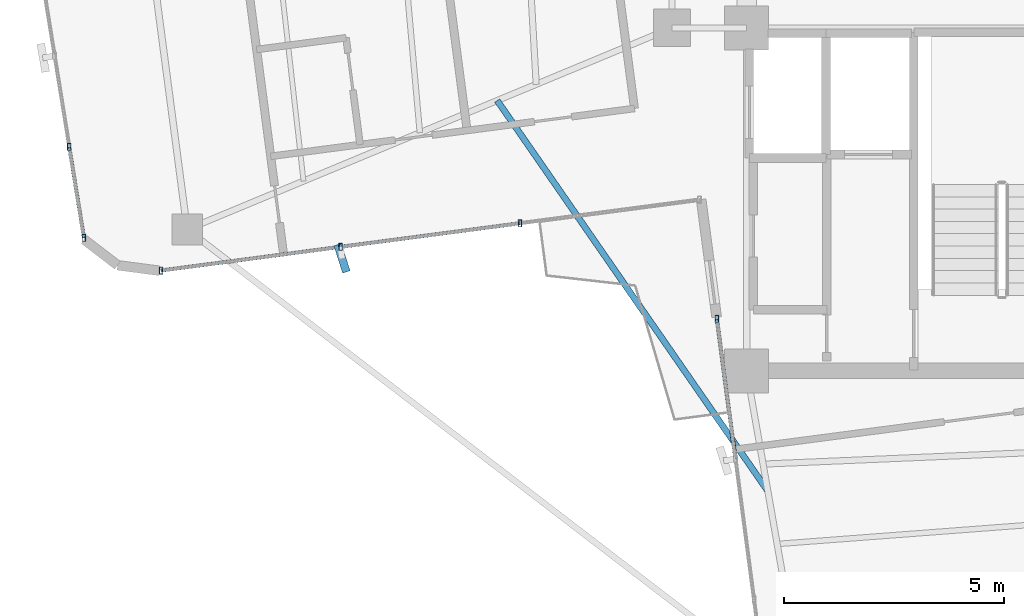
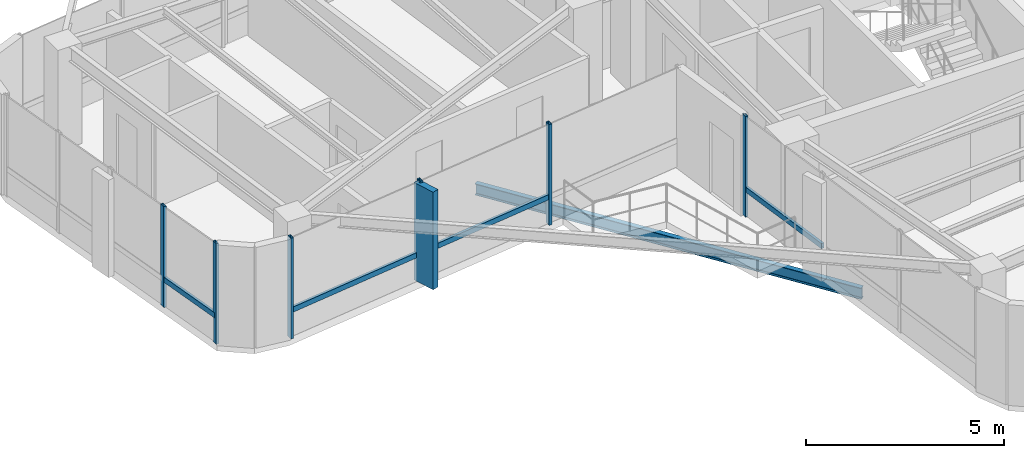
# One storey, part 2 of 22: 11 members, 1 beam, 3 elements without a shape of their own.
"""IFC4 building model written with IfcOpenShell, lengths in metres."""

from ifc_helpers import new_model, si_unit, direction, frame, origin, origin_2d, place, context, subcontext, project, spatial, rectangle, hollow_rectangle, i_section, extrude, source, transform, mapped, material, material_profile, profile_set, type_object, element, aggregate, save


model = new_model("IFC4")

# Units and contexts
model_context = context("Model", 3, precision=1e-05, world=origin(), true_north=direction((0.0, 1.0)))
body_context = subcontext(model_context, "Body", "Model", "MODEL_VIEW")
ifc_project = project(units=[si_unit("LENGTHUNIT", "METRE"), si_unit("AREAUNIT", "SQUARE_METRE"), si_unit("VOLUMEUNIT", "CUBIC_METRE"), si_unit("PLANEANGLEUNIT", "RADIAN"), si_unit("MASSUNIT", "GRAM", prefix="KILO")], contexts=[model_context])

# Site, building, storey
site_placement = place(None, origin())
site = spatial("IfcSite", under=ifc_project, at=site_placement, CompositionType="ELEMENT")
building_placement = place(site_placement, origin())
building = spatial("IfcBuilding", under=site, at=building_placement, Name="Sahyath Konkavel Grand Hotel", CompositionType="ELEMENT")
storey_placement = place(building_placement, frame((0.0, 0.0, 244.5)))
storey = spatial("IfcBuildingStorey", under=building, at=storey_placement, Name="L68", CompositionType="ELEMENT", Elevation=244.5)

# Curtain wall, member
ifc_material_1 = material(Name="Anodised Bronze Aluminium & Low-E Glazing", Category="aluminium")
curtain_wall_type = type_object("IfcCurtainWallType", Name="CW-ZONE4", PredefinedType="NOTDEFINED", material=ifc_material_1)
curtain_wall_1_placement = place(storey_placement, origin())
curtain_wall_1 = element("IfcCurtainWall", 1, at=curtain_wall_1_placement, inside=storey, type_object=curtain_wall_type, Name="L68 Unitised Curtain Wall F23", PredefinedType="NOTDEFINED")
ifc_material_2 = material(Name="Warm Buff Sandstone Cladding on Concrete C50/60", Category="masonry")
ifc_material_profile_1 = material_profile(ifc_material_2, rectangle(XDim=0.179931640625, YDim=0.64990234375, at=origin_2d()), Name="FIN 180x650")
ifc_profile_set_1 = profile_set([ifc_material_profile_1], Name="Warm Buff Sandstone Cladding on Concrete C50/60")
member_type_1 = type_object("IfcMemberType", Name="FIN-SANDSTONE-650", PredefinedType="MULLION", material=ifc_profile_set_1)
shared_shape_1 = source(origin(), body_context, "Body", "SweptSolid", [
    extrude(rectangle(XDim=0.179931640625, YDim=0.64990234375, at=origin_2d()), origin(), (0.0, 0.0, 1.0), 3.010009765625),
])
member_1_placement = place(storey_placement, frame((-13.001708984375, -7.639404296875, 0.050048828125), z_axis=(0.0, 0.0, 1.0), x_axis=(0.953032216634, 0.302868938746, 0.0)))
member_1 = element("IfcMember", 2, at=member_1_placement, type_object=member_type_1, Name="L68 Sandstone Vertical Solar Fin FIN F23-1", PredefinedType="MULLION", context=body_context, shape_type="MappedRepresentation", body=[
    mapped(shared_shape_1, transform((0.0, 0.0, 0.0), scale=1.0)),
])

# Curtain wall, members
curtain_wall_2_placement = place(storey_placement, origin())
curtain_wall_2 = element("IfcCurtainWall", 3, at=curtain_wall_2_placement, inside=storey, type_object=curtain_wall_type, Name="L68 Unitised Curtain Wall F20", PredefinedType="NOTDEFINED")
ifc_material_3 = material(Name="Anodised Bronze Aluminium", Category="aluminium")
ifc_material_profile_2 = material_profile(ifc_material_3, hollow_rectangle(XDim=0.080078125, YDim=0.159912109375, WallThickness=0.006103515625, at=origin_2d()), Name="RHS 160x80x6")
ifc_profile_set_2 = profile_set([ifc_material_profile_2], Name="Anodised Bronze Aluminium")
member_type_2 = type_object("IfcMemberType", Name="CW-MUL-160", PredefinedType="MULLION", material=ifc_profile_set_2)
shared_shape_2 = source(origin(), body_context, "Body", "SweptSolid", [
    extrude(hollow_rectangle(XDim=0.080078125, YDim=0.159912109375, WallThickness=0.006103515625, at=origin_2d()), origin(), (0.0, 0.0, 1.0), 3.110107421875),
])
member_2_placement = place(storey_placement, frame((-19.205322265625, -5.10791015625, 0.0), z_axis=(0.0, 0.0, 1.0), x_axis=(1.0, 0.0, 0.0)))
member_2 = element("IfcMember", 4, at=member_2_placement, type_object=member_type_2, Name="L68 Curtain Wall Mullion F20-3", PredefinedType="MULLION", context=body_context, shape_type="MappedRepresentation", body=[
    mapped(shared_shape_2, transform((0.0, 0.0, 0.0), scale=1.0)),
])
member_3_placement = place(storey_placement, frame((-18.87109375, -7.176513671875, 0.0), z_axis=(0.0, 0.0, 1.0), x_axis=(1.0, 0.0, 0.0)))
member_3 = element("IfcMember", 5, at=member_3_placement, type_object=member_type_2, Name="L68 Curtain Wall Mullion F20-4", PredefinedType="MULLION", context=body_context, shape_type="MappedRepresentation", body=[
    mapped(shared_shape_2, transform((0.0, 0.0, 0.0), scale=1.0)),
])

# Member
member_4_placement = place(storey_placement, frame((-17.11572265625, -7.918701171875, 0.0), z_axis=(0.0, 0.0, 1.0), x_axis=(1.0, 0.0, 0.0)))
member_4 = element("IfcMember", 6, at=member_4_placement, type_object=member_type_2, Name="L68 Curtain Wall Mullion F23-0", PredefinedType="MULLION", context=body_context, shape_type="MappedRepresentation", body=[
    mapped(shared_shape_2, transform((0.0, 0.0, 0.0), scale=1.0)),
])

member_5_placement = place(storey_placement, frame((-13.03564453125, -7.381591796875, 0.0), z_axis=(0.0, 0.0, 1.0), x_axis=(1.0, 0.0, 0.0)))
member_5 = element("IfcMember", 7, at=member_5_placement, type_object=member_type_2, Name="L68 Curtain Wall Mullion F23-1", PredefinedType="MULLION", context=body_context, shape_type="MappedRepresentation", body=[
    mapped(shared_shape_2, transform((0.0, 0.0, 0.0), scale=1.0)),
])

member_6_placement = place(storey_placement, frame((-8.95556640625, -6.844482421875, 0.0), z_axis=(0.0, 0.0, 1.0), x_axis=(1.0, 0.0, 0.0)))
member_6 = element("IfcMember", 8, at=member_6_placement, type_object=member_type_2, Name="L68 Curtain Wall Mullion F23-2", PredefinedType="MULLION", context=body_context, shape_type="MappedRepresentation", body=[
    mapped(shared_shape_2, transform((0.0, 0.0, 0.0), scale=1.0)),
])

# Curtain wall, members
curtain_wall_3_placement = place(storey_placement, origin())
curtain_wall_3 = element("IfcCurtainWall", 9, at=curtain_wall_3_placement, inside=storey, type_object=curtain_wall_type, Name="L68 Unitised Curtain Wall F24", PredefinedType="NOTDEFINED")
member_7_placement = place(storey_placement, frame((-4.478271484375, -9.018798828125, 0.0), z_axis=(0.0, 0.0, 1.0), x_axis=(1.0, 0.0, 0.0)))
member_7 = element("IfcMember", 10, at=member_7_placement, type_object=member_type_2, Name="L68 Curtain Wall Mullion F24-0", PredefinedType="MULLION", context=body_context, shape_type="MappedRepresentation", body=[
    mapped(shared_shape_2, transform((0.0, 0.0, 0.0), scale=1.0)),
])
ifc_material_profile_3 = material_profile(ifc_material_3, hollow_rectangle(XDim=0.080078125, YDim=0.159912109375, WallThickness=0.006103515625, at=origin_2d()), Name="RHS 160x80x6")
ifc_profile_set_3 = profile_set([ifc_material_profile_3], Name="Anodised Bronze Aluminium")
member_type_3 = type_object("IfcMemberType", Name="CW-TRN-160", PredefinedType="USERDEFINED", material=ifc_profile_set_3)
shared_shape_3 = source(origin(), body_context, "Body", "SweptSolid", [
    extrude(hollow_rectangle(XDim=0.080078125, YDim=0.159912109375, WallThickness=0.006103515625, at=origin_2d()), origin(), (0.0, 0.0, 1.0), 3.21533203125),
])
member_8_placement = place(storey_placement, frame((-4.478271484375, -9.018798828125, 0.85009765625), z_axis=(0.130527187822, -0.9914447303, 0.0), x_axis=(0.9914447303, 0.130527187822, 0.0)))
member_8 = element("IfcMember", 11, at=member_8_placement, type_object=member_type_3, Name="L68 Curtain Wall Transom F24-0-spandrel", ObjectType="TRANSOM", PredefinedType="USERDEFINED", context=body_context, shape_type="MappedRepresentation", body=[
    mapped(shared_shape_3, transform((0.0, 0.0, 0.0), scale=1.0)),
])
aggregate(curtain_wall_3, [member_7, member_8])

# Member
shared_shape_4 = source(origin(), body_context, "Body", "SweptSolid", [
    extrude(hollow_rectangle(XDim=0.080078125, YDim=0.159912109375, WallThickness=0.006103515625, at=origin_2d()), origin(), (0.0, 0.0, 1.0), 2.095458984375),
])
member_9_placement = place(storey_placement, frame((-19.205322265625, -5.10791015625, 0.85009765625), z_axis=(0.15950350396, -0.987197362347, 0.0), x_axis=(0.987197362347, 0.15950350396, 0.0)))
member_9 = element("IfcMember", 12, at=member_9_placement, type_object=member_type_3, Name="L68 Curtain Wall Transom F20-3-spandrel", ObjectType="TRANSOM", PredefinedType="USERDEFINED", context=body_context, shape_type="MappedRepresentation", body=[
    mapped(shared_shape_4, transform((0.0, 0.0, 0.0), scale=1.0)),
])

aggregate(curtain_wall_2, [member_2, member_3, member_9])

shared_shape_5 = source(origin(), body_context, "Body", "SweptSolid", [
    extrude(hollow_rectangle(XDim=0.080078125, YDim=0.159912109375, WallThickness=0.006103515625, at=origin_2d()), origin(), (0.0, 0.0, 1.0), 4.115234375),
])
member_10_placement = place(storey_placement, frame((-17.11572265625, -7.918701171875, 0.85009765625), z_axis=(0.991446216664, 0.130515897359, 0.0), x_axis=(-0.130515897359, 0.991446216664, 0.0)))
member_10 = element("IfcMember", 13, at=member_10_placement, type_object=member_type_3, Name="L68 Curtain Wall Transom F23-0-spandrel", ObjectType="TRANSOM", PredefinedType="USERDEFINED", context=body_context, shape_type="MappedRepresentation", body=[
    mapped(shared_shape_5, transform((0.0, 0.0, 0.0), scale=1.0)),
])

member_11_placement = place(storey_placement, frame((-13.03564453125, -7.381591796875, 0.85009765625), z_axis=(0.991446216664, 0.130515897359, 0.0), x_axis=(-0.130515897359, 0.991446216664, 0.0)))
member_11 = element("IfcMember", 14, at=member_11_placement, type_object=member_type_3, Name="L68 Curtain Wall Transom F23-1-spandrel", ObjectType="TRANSOM", PredefinedType="USERDEFINED", context=body_context, shape_type="MappedRepresentation", body=[
    mapped(shared_shape_5, transform((0.0, 0.0, 0.0), scale=1.0)),
])

aggregate(curtain_wall_1, [member_4, member_5, member_1, member_6, member_10, member_11])

# Beam
ifc_material_4 = material(Name="Steel E350", Category="steel")
ifc_material_profile_4 = material_profile(ifc_material_4, i_section(OverallWidth=0.139892578125, OverallDepth=0.35009765625, WebThickness=0.008056640625, FlangeThickness=0.01416015625, FilletRadius=0.013916015625, at=origin_2d()), Name="ISMB 350")
ifc_profile_set_4 = profile_set([ifc_material_profile_4], Name="Steel E350")
beam_type = type_object("IfcBeamType", Name="BM-BALC-CANT", PredefinedType="BEAM", material=ifc_profile_set_4)
shared_shape_6 = source(origin(), body_context, "Body", "SweptSolid", [
    extrude(i_section(OverallWidth=0.139892578125, OverallDepth=0.35009765625, WebThickness=0.008056640625, FlangeThickness=0.01416015625, FilletRadius=0.013916015625, at=origin_2d()), origin(), (0.0, 0.0, 1.0), 10.80029296875),
])
beam_placement = place(storey_placement, frame((-9.472900390625, -4.052001953125, -0.4150390625), z_axis=(0.569550810454, -0.821956126756, 0.0), x_axis=(0.821956126756, 0.569550810454, 0.0)))
element("IfcBeam", 15, at=beam_placement, inside=storey, type_object=beam_type, Name="L68 Balcony Cantilever Support Beam SW", PredefinedType="BEAM", context=body_context, shape_type="MappedRepresentation", body=[
    mapped(shared_shape_6, transform((0.0, 0.0, 0.0), scale=1.0)),
])

save(model, "model.ifc")
